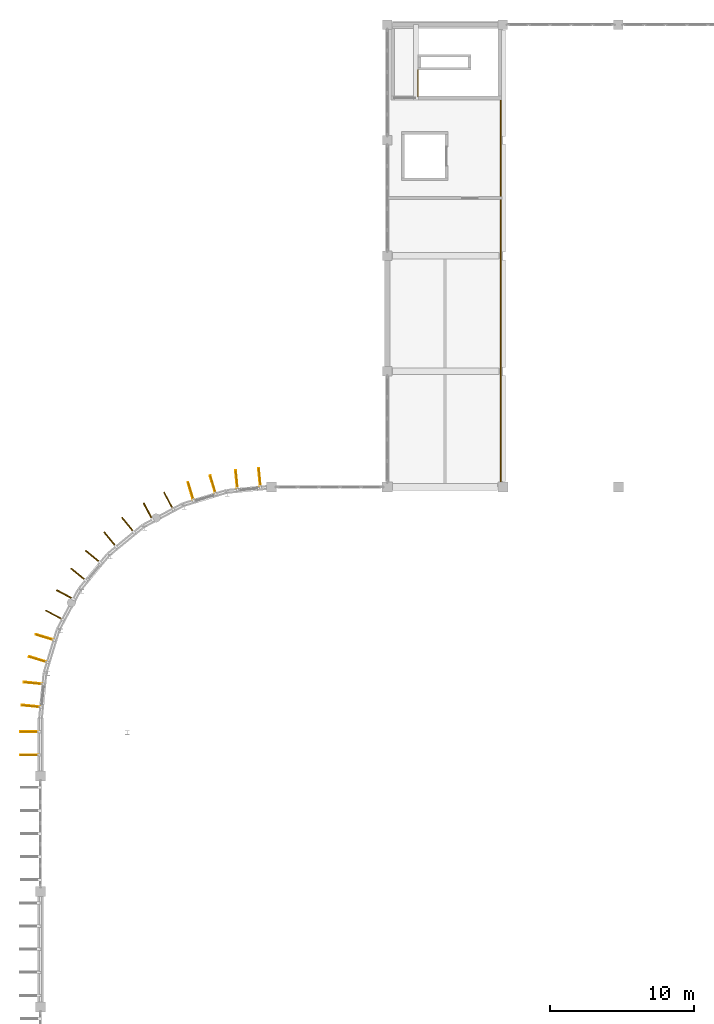
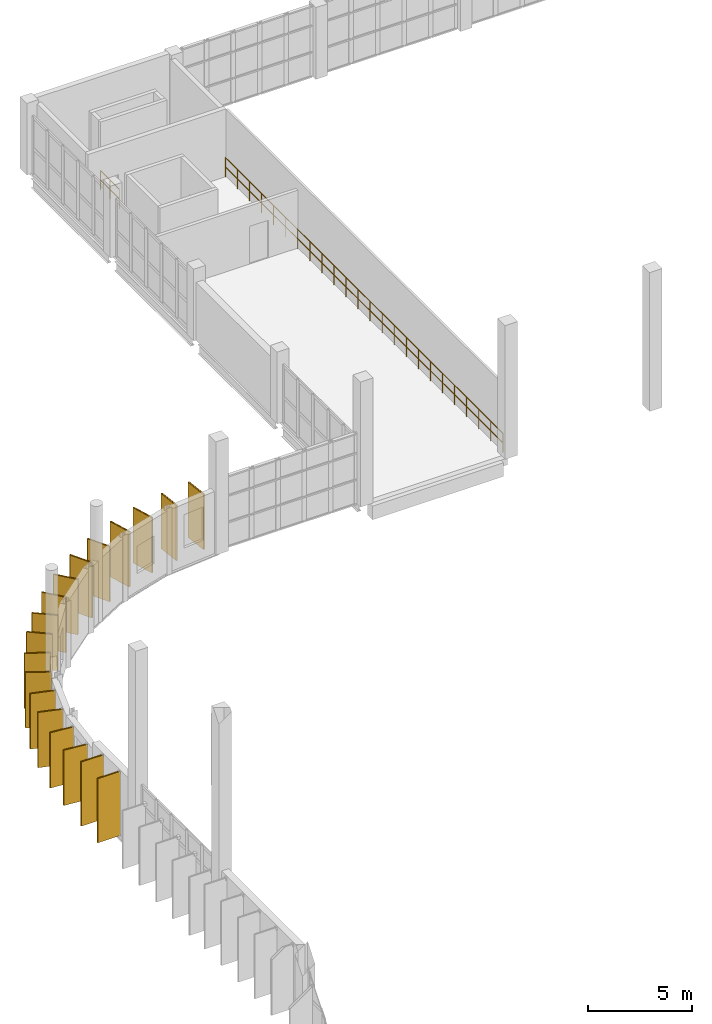
# One storey, part 63 of 66: 18 coverings, 18 shading devices, 2 railings.
"""IFC4 building model written with IfcOpenShell, lengths in metres."""

from ifc_helpers import new_model, si_unit, direction, frame, origin, origin_2d, place, context, subcontext, project, spatial, rectangle, circle, extrude, material, type_object, element, save


model = new_model("IFC4")

# Units and contexts
model_context = context("Model", 3, precision=1e-05, world=origin(), true_north=direction((0.0, 1.0)))
body_context = subcontext(model_context, "Body", "Model", "MODEL_VIEW")
ifc_project = project(units=[si_unit("LENGTHUNIT", "METRE"), si_unit("AREAUNIT", "SQUARE_METRE"), si_unit("VOLUMEUNIT", "CUBIC_METRE"), si_unit("PLANEANGLEUNIT", "RADIAN"), si_unit("MASSUNIT", "GRAM", prefix="KILO")], contexts=[model_context])

# Site, building, storey
site_placement = place(None, origin())
site = spatial("IfcSite", under=ifc_project, at=site_placement, CompositionType="ELEMENT")
building_placement = place(site_placement, origin())
building = spatial("IfcBuilding", under=site, at=building_placement, Name="Drelvana Railside Aquatics Centre", CompositionType="ELEMENT")
storey_placement = place(building_placement, frame((0.0, 0.0, 10.199951171875)))
storey = spatial("IfcBuildingStorey", under=building, at=storey_placement, Name="L02", CompositionType="ELEMENT", Elevation=10.199951171875)

# Coverings
ifc_material_1 = material(Name="Bronze-anodised extruded aluminium 6063-T6", Category="aluminium")
covering_type = type_object("IfcCoveringType", Name="COV-FIN-ALU", PredefinedType="CLADDING", material=ifc_material_1)
for number, where, z_axis, x_axis, name in (
    (1, (-0.77490234375, 65.449951171875, 0.199951171875), (0.0, 0.0, 1.0), (0.0, 1.0, 0.0), "Vertical aluminium fin cladding CF-0269"),
    (2, (-0.77490234375, 67.050048828125, 0.199951171875), (0.0, 0.0, 1.0), (0.0, 1.0, 0.0), "Vertical aluminium fin cladding CF-0270"),
):
    element("IfcCovering", number, at=place(storey_placement, frame(where, z_axis=z_axis, x_axis=x_axis)), inside=storey, type_object=covering_type, Name=name, PredefinedType="CLADDING", context=body_context, shape_type="SweptSolid", body=[
        extrude(rectangle(XDim=0.0849609375, YDim=1.25, at=origin_2d()), origin(), (0.0, 0.0, 1.0), 3.75),
    ])
for number, where, z_axis, x_axis, name in (
    (3, (15.162353515625, 84.666015625, 0.25), (0.0, 0.0, 1.0), (0.995184726672, 0.09801714033, 0.0), "Vertical aluminium fin cladding CF-0341"),
    (4, (13.570068359375, 84.50927734375, 0.25), (0.0, 0.0, 1.0), (0.995184726672, 0.09801714033, 0.0), "Vertical aluminium fin cladding CF-0342"),
    (5, (11.927001953125, 84.1826171875, 0.25), (0.0, 0.0, 1.0), (0.956940335732, 0.290284677254, 0.0), "Vertical aluminium fin cladding CF-0349"),
    (6, (10.39599609375, 83.718017578125, 0.25), (0.0, 0.0, 1.0), (0.956940335732, 0.290284677254, 0.0), "Vertical aluminium fin cladding CF-0350"),
    (7, (8.848388671875, 83.076904296875, 0.25), (0.0, 0.0, 1.0), (0.881921264348, 0.471396736826, 0.0), "Vertical aluminium fin cladding CF-0357"),
    (8, (7.437255859375, 82.32275390625, 0.25), (0.0, 0.0, 1.0), (0.881921264348, 0.471396736826, 0.0), "Vertical aluminium fin cladding CF-0358"),
    (9, (6.04443359375, 81.39208984375, 0.25), (0.0, 0.0, 1.0), (0.773010453363, 0.634393284164, 0.0), "Vertical aluminium fin cladding CF-0365"),
    (10, (4.8076171875, 80.376953125, 0.25), (0.0, 0.0, 1.0), (0.773010453363, 0.634393284164, 0.0), "Vertical aluminium fin cladding CF-0366"),
    (11, (3.623046875, 79.1923828125, 0.25), (0.0, 0.0, 1.0), (0.634393284164, 0.773010453363, 0.0), "Vertical aluminium fin cladding CF-0373"),
    (12, (2.60791015625, 77.95556640625, 0.25), (0.0, 0.0, 1.0), (0.634393284164, 0.773010453363, 0.0), "Vertical aluminium fin cladding CF-0374"),
    (13, (1.67724609375, 76.562744140625, 0.25), (0.0, 0.0, 1.0), (0.471396736826, 0.881921264348, 0.0), "Vertical aluminium fin cladding CF-0381"),
    (14, (0.923095703125, 75.151611328125, 0.25), (0.0, 0.0, 1.0), (0.471396736826, 0.881921264348, 0.0), "Vertical aluminium fin cladding CF-0382"),
    (15, (0.281982421875, 73.60400390625, 0.25), (0.0, 0.0, 1.0), (0.290284677254, 0.956940335732, 0.0), "Vertical aluminium fin cladding CF-0389"),
    (16, (-0.1826171875, 72.072998046875, 0.25), (0.0, 0.0, 1.0), (0.290284677254, 0.956940335732, 0.0), "Vertical aluminium fin cladding CF-0390"),
    (17, (-0.50927734375, 70.429931640625, 0.25), (0.0, 0.0, 1.0), (0.09801714033, 0.995184726672, 0.0), "Vertical aluminium fin cladding CF-0397"),
    (18, (-0.666015625, 68.837646484375, 0.25), (0.0, 0.0, 1.0), (0.09801714033, 0.995184726672, 0.0), "Vertical aluminium fin cladding CF-0398"),
):
    element("IfcCovering", number, at=place(storey_placement, frame(where, z_axis=z_axis, x_axis=x_axis)), inside=storey, type_object=covering_type, Name=name, PredefinedType="CLADDING", context=body_context, shape_type="SweptSolid", body=[
        extrude(rectangle(XDim=0.0849609375, YDim=1.25, at=origin_2d()), origin(), (0.0, 0.0, 1.0), 3.22998046875),
    ])

# Railings
ifc_material_2 = material(Name="Laminated glass and bronze-stainless gallery balustrade", Category="glass")
railing_type_1 = type_object("IfcRailingType", Name="RAL-GALLERY-1150", PredefinedType="BALUSTRADE", material=ifc_material_2)
railing_1_placement = place(storey_placement, frame((31.85009765625, 84.199951171875, 0.0)))
element("IfcRailing", 19, at=railing_1_placement, inside=storey, type_object=railing_type_1, Name="Gallery balustrade 10 (L02)", PredefinedType="BALUSTRADE", context=body_context, shape_type="SweptSolid", body=[
    extrude(circle(Radius=0.02392578125, at=origin_2d()), frame((0.0, 0.0, 1.1259765625), z_axis=(0.0, 1.0, 0.0), x_axis=(-1.0, 0.0, 0.0)), (0.0, 0.0, 1.0), 26.60009765625),
    extrude(circle(Radius=0.02392578125, at=origin_2d()), frame((0.0, 0.0, 0.574951171875), z_axis=(0.0, 1.0, 0.0), x_axis=(-1.0, 0.0, 0.0)), (0.0, 0.0, 1.0), 26.60009765625),
    extrude(circle(Radius=0.02099609375, at=origin_2d()), origin(), (0.0, 0.0, 1.0), 1.101806640625),
    extrude(circle(Radius=0.02099609375, at=origin_2d()), frame((0.0, 1.156494140625, 0.0)), (0.0, 0.0, 1.0), 1.101806640625),
    extrude(circle(Radius=0.02099609375, at=origin_2d()), frame((0.0, 2.31298828125, 0.0)), (0.0, 0.0, 1.0), 1.101806640625),
    extrude(circle(Radius=0.02099609375, at=origin_2d()), frame((0.0, 3.469482421875, 0.0)), (0.0, 0.0, 1.0), 1.101806640625),
    extrude(circle(Radius=0.02099609375, at=origin_2d()), frame((0.0, 4.626220703125, 0.0)), (0.0, 0.0, 1.0), 1.101806640625),
    extrude(circle(Radius=0.02099609375, at=origin_2d()), frame((0.0, 5.78271484375, 0.0)), (0.0, 0.0, 1.0), 1.101806640625),
    extrude(circle(Radius=0.02099609375, at=origin_2d()), frame((0.0, 6.939208984375, 0.0)), (0.0, 0.0, 1.0), 1.101806640625),
    extrude(circle(Radius=0.02099609375, at=origin_2d()), frame((0.0, 8.095703125, 0.0)), (0.0, 0.0, 1.0), 1.101806640625),
    extrude(circle(Radius=0.02099609375, at=origin_2d()), frame((0.0, 9.252197265625, 0.0)), (0.0, 0.0, 1.0), 1.101806640625),
    extrude(circle(Radius=0.02099609375, at=origin_2d()), frame((0.0, 10.40869140625, 0.0)), (0.0, 0.0, 1.0), 1.101806640625),
    extrude(circle(Radius=0.02099609375, at=origin_2d()), frame((0.0, 11.565185546875, 0.0)), (0.0, 0.0, 1.0), 1.101806640625),
    extrude(circle(Radius=0.02099609375, at=origin_2d()), frame((0.0, 12.7216796875, 0.0)), (0.0, 0.0, 1.0), 1.101806640625),
    extrude(circle(Radius=0.02099609375, at=origin_2d()), frame((0.0, 13.87841796875, 0.0)), (0.0, 0.0, 1.0), 1.101806640625),
    extrude(circle(Radius=0.02099609375, at=origin_2d()), frame((0.0, 15.034912109375, 0.0)), (0.0, 0.0, 1.0), 1.101806640625),
    extrude(circle(Radius=0.02099609375, at=origin_2d()), frame((0.0, 16.19140625, 0.0)), (0.0, 0.0, 1.0), 1.101806640625),
    extrude(circle(Radius=0.02099609375, at=origin_2d()), frame((0.0, 17.347900390625, 0.0)), (0.0, 0.0, 1.0), 1.101806640625),
    extrude(circle(Radius=0.02099609375, at=origin_2d()), frame((0.0, 18.50439453125, 0.0)), (0.0, 0.0, 1.0), 1.101806640625),
    extrude(circle(Radius=0.02099609375, at=origin_2d()), frame((0.0, 19.660888671875, 0.0)), (0.0, 0.0, 1.0), 1.101806640625),
    extrude(circle(Radius=0.02099609375, at=origin_2d()), frame((0.0, 20.8173828125, 0.0)), (0.0, 0.0, 1.0), 1.101806640625),
    extrude(circle(Radius=0.02099609375, at=origin_2d()), frame((0.0, 21.973876953125, 0.0)), (0.0, 0.0, 1.0), 1.101806640625),
    extrude(circle(Radius=0.02099609375, at=origin_2d()), frame((0.0, 23.130615234375, 0.0)), (0.0, 0.0, 1.0), 1.101806640625),
    extrude(circle(Radius=0.02099609375, at=origin_2d()), frame((0.0, 24.287109375, 0.0)), (0.0, 0.0, 1.0), 1.101806640625),
    extrude(circle(Radius=0.02099609375, at=origin_2d()), frame((0.0, 25.443603515625, 0.0)), (0.0, 0.0, 1.0), 1.101806640625),
    extrude(circle(Radius=0.02099609375, at=origin_2d()), frame((0.0, 26.60009765625, 0.0)), (0.0, 0.0, 1.0), 1.101806640625),
])
ifc_material_3 = material(Name="Brushed stainless steel stairwell guard", Category="steel")
railing_type_2 = type_object("IfcRailingType", Name="RAL-STAIR-1150", PredefinedType="GUARDRAIL", material=ifc_material_3)
railing_2_placement = place(storey_placement, frame((26.1201171875, 111.050048828125, 0.0)))
element("IfcRailing", 20, at=railing_2_placement, inside=storey, type_object=railing_type_2, Name="Stair ST-03 top landing guard", PredefinedType="GUARDRAIL", context=body_context, shape_type="SweptSolid", body=[
    extrude(circle(Radius=0.02392578125, at=origin_2d()), frame((0.0, 0.0, 1.1259765625), z_axis=(0.0, 1.0, 0.0), x_axis=(-1.0, 0.0, 0.0)), (0.0, 0.0, 1.0), 1.800048828125),
    extrude(circle(Radius=0.02392578125, at=origin_2d()), frame((0.0, 0.0, 0.574951171875), z_axis=(0.0, 1.0, 0.0), x_axis=(-1.0, 0.0, 0.0)), (0.0, 0.0, 1.0), 1.800048828125),
    extrude(circle(Radius=0.02099609375, at=origin_2d()), origin(), (0.0, 0.0, 1.0), 1.101806640625),
    extrude(circle(Radius=0.02099609375, at=origin_2d()), frame((0.0, 0.89990234375, 0.0)), (0.0, 0.0, 1.0), 1.101806640625),
    extrude(circle(Radius=0.02099609375, at=origin_2d()), frame((0.0, 1.800048828125, 0.0)), (0.0, 0.0, 1.0), 1.101806640625),
])

# Shading devices
shading_device_type = type_object("IfcShadingDeviceType", Name="SHD-FIN-1250", PredefinedType="USERDEFINED", material=ifc_material_1)
for number, where, z_axis, x_axis, name in (
    (21, (-0.794921875, 65.449951171875, 0.199951171875), (0.0, 0.0, 1.0), (-1.0, 0.0, 0.0), "Vertical bronze shading fin FN-0276"),
    (22, (-0.794921875, 67.050048828125, 0.199951171875), (0.0, 0.0, 1.0), (-1.0, 0.0, 0.0), "Vertical bronze shading fin FN-0277"),
):
    element("IfcShadingDevice", number, at=place(storey_placement, frame(where, z_axis=z_axis, x_axis=x_axis)), inside=storey, type_object=shading_device_type, Name=name, ObjectType="FIN", PredefinedType="USERDEFINED", context=body_context, shape_type="SweptSolid", body=[
        extrude(rectangle(XDim=1.25, YDim=0.06494140625, at=origin_2d()), origin(), (0.0, 0.0, 1.0), 3.75),
    ])
for number, where, z_axis, x_axis, name in (
    (23, (15.160400390625, 84.68603515625, 0.25), (0.0, 0.0, 1.0), (-0.09801714033, 0.995184726672, 0.0), "Vertical bronze shading fin FN-0348"),
    (24, (13.568115234375, 84.529296875, 0.25), (0.0, 0.0, 1.0), (-0.09801714033, 0.995184726672, 0.0), "Vertical bronze shading fin FN-0349"),
    (25, (11.92138671875, 84.20166015625, 0.25), (0.0, 0.0, 1.0), (-0.290284677254, 0.956940335732, 0.0), "Vertical bronze shading fin FN-0356"),
    (26, (10.39013671875, 83.7373046875, 0.25), (0.0, 0.0, 1.0), (-0.290284677254, 0.956940335732, 0.0), "Vertical bronze shading fin FN-0357"),
    (27, (8.8388671875, 83.094482421875, 0.25), (0.0, 0.0, 1.0), (-0.471396736826, 0.881921264348, 0.0), "Vertical bronze shading fin FN-0364"),
    (28, (7.427734375, 82.34033203125, 0.25), (0.0, 0.0, 1.0), (-0.471396736826, 0.881921264348, 0.0), "Vertical bronze shading fin FN-0365"),
    (29, (6.03173828125, 81.407470703125, 0.25), (0.0, 0.0, 1.0), (-0.634393284164, 0.773010453363, 0.0), "Vertical bronze shading fin FN-0372"),
    (30, (4.794921875, 80.392333984375, 0.25), (0.0, 0.0, 1.0), (-0.634393284164, 0.773010453363, 0.0), "Vertical bronze shading fin FN-0373"),
    (31, (3.607666015625, 79.205078125, 0.25), (0.0, 0.0, 1.0), (-0.773010453363, 0.634393284164, 0.0), "Vertical bronze shading fin FN-0380"),
    (32, (2.592529296875, 77.96826171875, 0.25), (0.0, 0.0, 1.0), (-0.773010453363, 0.634393284164, 0.0), "Vertical bronze shading fin FN-0381"),
    (33, (1.65966796875, 76.572265625, 0.25), (0.0, 0.0, 1.0), (-0.881921264348, 0.471396736826, 0.0), "Vertical bronze shading fin FN-0388"),
    (34, (0.905517578125, 75.1611328125, 0.25), (0.0, 0.0, 1.0), (-0.881921264348, 0.471396736826, 0.0), "Vertical bronze shading fin FN-0389"),
    (35, (0.2626953125, 73.60986328125, 0.25), (0.0, 0.0, 1.0), (-0.956940335732, 0.290284677254, 0.0), "Vertical bronze shading fin FN-0396"),
    (36, (-0.20166015625, 72.07861328125, 0.25), (0.0, 0.0, 1.0), (-0.956940335732, 0.290284677254, 0.0), "Vertical bronze shading fin FN-0397"),
    (37, (-0.529296875, 70.431884765625, 0.25), (0.0, 0.0, 1.0), (-0.995184726672, 0.09801714033, 0.0), "Vertical bronze shading fin FN-0404"),
    (38, (-0.68603515625, 68.839599609375, 0.25), (0.0, 0.0, 1.0), (-0.995184726672, 0.09801714033, 0.0), "Vertical bronze shading fin FN-0405"),
):
    element("IfcShadingDevice", number, at=place(storey_placement, frame(where, z_axis=z_axis, x_axis=x_axis)), inside=storey, type_object=shading_device_type, Name=name, ObjectType="FIN", PredefinedType="USERDEFINED", context=body_context, shape_type="SweptSolid", body=[
        extrude(rectangle(XDim=1.25, YDim=0.06494140625, at=origin_2d()), origin(), (0.0, 0.0, 1.0), 3.22998046875),
    ])

save(model, "model.ifc")
